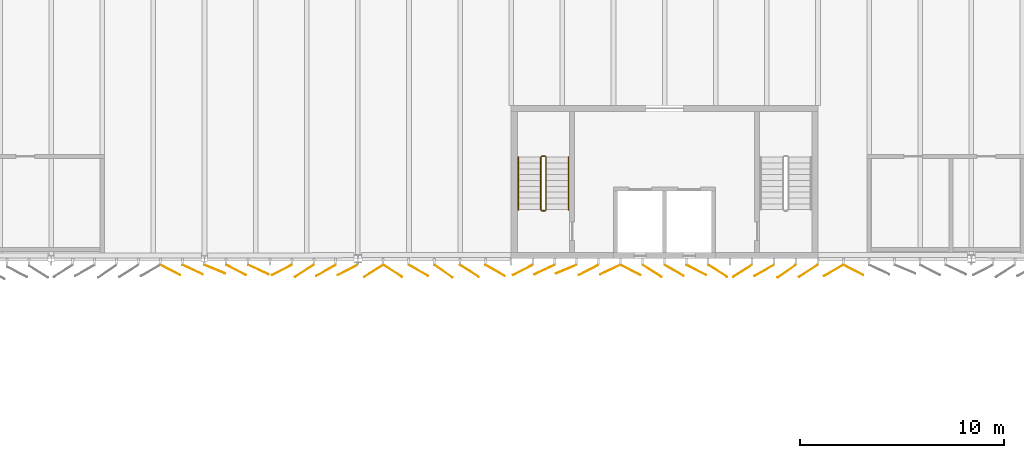
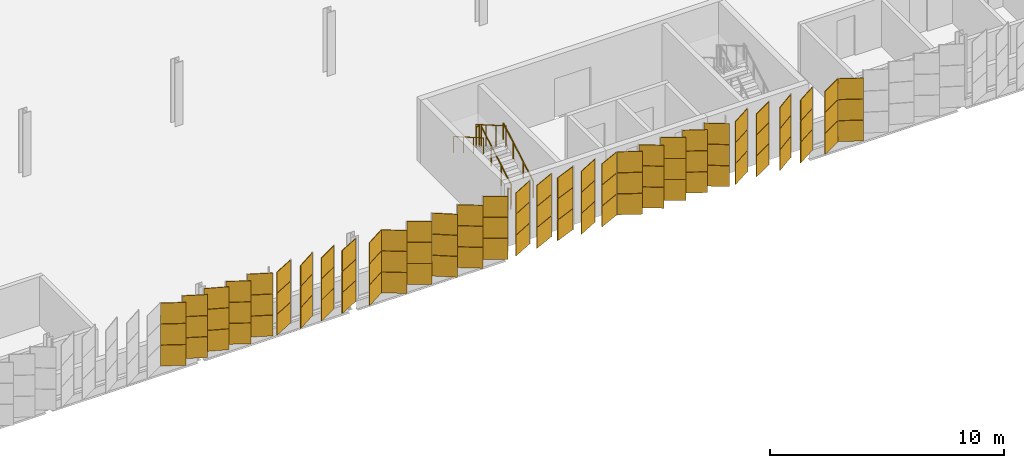
# One storey, part 198 of 214: 93 coverings, 6 railings.
"""IFC4 building model written with IfcOpenShell, lengths in metres."""

from ifc_helpers import new_model, si_unit, direction, frame, origin, origin_2d, place, context, subcontext, project, spatial, rectangle, circle, extrude, material, layer, layer_set, type_object, element, save


model = new_model("IFC4")

# Units and contexts
model_context = context("Model", 3, precision=1e-05, world=origin(), true_north=direction((0.0, 1.0)))
body_context = subcontext(model_context, "Body", "Model", "MODEL_VIEW")
ifc_project = project(units=[si_unit("LENGTHUNIT", "METRE"), si_unit("AREAUNIT", "SQUARE_METRE"), si_unit("VOLUMEUNIT", "CUBIC_METRE"), si_unit("PLANEANGLEUNIT", "RADIAN"), si_unit("MASSUNIT", "GRAM", prefix="KILO")], contexts=[model_context])

# Site, building, storey
site_placement = place(None, origin())
site = spatial("IfcSite", under=ifc_project, at=site_placement, CompositionType="ELEMENT")
building_placement = place(site_placement, origin())
building = spatial("IfcBuilding", under=site, at=building_placement, Name="Parallax Yard Mobility Hub", CompositionType="ELEMENT")
storey_placement = place(building_placement, frame((0.0, 0.0, 3.300048828125)))
storey = spatial("IfcBuildingStorey", under=building, at=storey_placement, Name="L01", CompositionType="ELEMENT", Elevation=3.300048828125)

# Coverings
ifc_material_1 = material(Name="Aluminium panel, light oak finish", Category="aluminium")
ifc_layer_1 = layer(ifc_material_1, 0.030029296875)
ifc_layer_set_1 = layer_set([ifc_layer_1], Name="Skin panel 22.5 degree turn, oak finish")
covering_type_1 = type_object("IfcCoveringType", Name="Skin panel 22.5 degree turn, oak finish", PredefinedType="CLADDING", material=ifc_layer_set_1)
for number, where, z_axis, x_axis, name in (
    (1, (53.000732421875, 111.987060546875, 1.119873046875), (0.0, 0.0, 1.0), (0.923879532511, -0.382683432365, 0.0), "Skin panel 22.5 bay 4.1 row 2 level L01"),
    (2, (53.000732421875, 111.987060546875, 2.219970703125), (0.0, 0.0, 1.0), (0.923879532511, -0.382683432365, 0.0), "Skin panel 22.5 bay 4.1 row 3 level L01"),
    (3, (70.185546875, 111.987060546875, 1.119873046875), (0.0, 0.0, 1.0), (-0.923879532511, -0.382683432365, 0.0), "Skin panel 22.5 bay 6.3 row 2 level L01"),
    (4, (70.185546875, 111.987060546875, 2.219970703125), (0.0, 0.0, 1.0), (-0.923879532511, -0.382683432365, 0.0), "Skin panel 22.5 bay 6.3 row 3 level L01"),
):
    element("IfcCovering", number, at=place(storey_placement, frame(where, z_axis=z_axis, x_axis=x_axis)), inside=storey, type_object=covering_type_1, Name=name, ObjectType="SCREEN", PredefinedType="CLADDING", context=body_context, shape_type="SweptSolid", body=[
        extrude(rectangle(XDim=1.080078125, YDim=0.030029296875, at=origin_2d()), origin(), (0.0, 0.0, 1.0), 1.080078125),
    ])
ifc_material_2 = material(Name="Aluminium panel, walnut finish", Category="aluminium")
ifc_layer_2 = layer(ifc_material_2, 0.030029296875)
ifc_layer_set_2 = layer_set([ifc_layer_2], Name="Skin panel 22.5 degree turn, walnut finish")
covering_type_2 = type_object("IfcCoveringType", Name="Skin panel 22.5 degree turn, walnut finish", PredefinedType="CLADDING", material=ifc_layer_set_2)
for number, where, z_axis, x_axis, name in (
    (5, (53.000732421875, 111.987060546875, 0.02001953125), (0.0, 0.0, 1.0), (0.923879532511, -0.382683432365, 0.0), "Skin panel 22.5 bay 4.1 row 1 level L01"),
    (6, (70.185546875, 111.987060546875, 0.02001953125), (0.0, 0.0, 1.0), (-0.923879532511, -0.382683432365, 0.0), "Skin panel 22.5 bay 6.3 row 1 level L01"),
):
    element("IfcCovering", number, at=place(storey_placement, frame(where, z_axis=z_axis, x_axis=x_axis)), inside=storey, type_object=covering_type_2, Name=name, ObjectType="SCREEN", PredefinedType="CLADDING", context=body_context, shape_type="SweptSolid", body=[
        extrude(rectangle(XDim=1.080078125, YDim=0.030029296875, at=origin_2d()), origin(), (0.0, 0.0, 1.0), 1.080078125),
    ])
ifc_layer_3 = layer(ifc_material_1, 0.030029296875)
ifc_layer_set_3 = layer_set([ifc_layer_3], Name="Skin panel 25 degree turn, oak finish")
covering_type_3 = type_object("IfcCoveringType", Name="Skin panel 25 degree turn, oak finish", PredefinedType="CLADDING", material=ifc_layer_set_3)
for number, where, z_axis, x_axis, name in (
    (7, (51.91943359375, 111.96484375, 1.119873046875), (0.0, 0.0, 1.0), (0.906307787037, -0.422618261741, 0.0), "Skin panel 25 bay 3.7 row 2 level L01"),
    (8, (51.91943359375, 111.96484375, 2.219970703125), (0.0, 0.0, 1.0), (0.906307787037, -0.422618261741, 0.0), "Skin panel 25 bay 3.7 row 3 level L01"),
    (9, (55.134033203125, 111.96484375, 1.119873046875), (0.0, 0.0, 1.0), (0.906307787037, -0.422618261741, 0.0), "Skin panel 25 bay 4.3 row 2 level L01"),
    (10, (55.134033203125, 111.96484375, 2.219970703125), (0.0, 0.0, 1.0), (0.906307787037, -0.422618261741, 0.0), "Skin panel 25 bay 4.3 row 3 level L01"),
    (11, (69.123046875, 111.96484375, 1.119873046875), (0.0, 0.0, 1.0), (-0.906307787037, -0.422618261741, 0.0), "Skin panel 25 bay 6.2 row 2 level L01"),
    (12, (69.123046875, 111.96484375, 2.219970703125), (0.0, 0.0, 1.0), (-0.906307787037, -0.422618261741, 0.0), "Skin panel 25 bay 6.2 row 3 level L01"),
    (13, (72.339599609375, 111.96484375, 1.119873046875), (0.0, 0.0, 1.0), (-0.906307787037, -0.422618261741, 0.0), "Skin panel 25 bay 6.5 row 2 level L01"),
    (14, (72.339599609375, 111.96484375, 2.219970703125), (0.0, 0.0, 1.0), (-0.906307787037, -0.422618261741, 0.0), "Skin panel 25 bay 6.5 row 3 level L01"),
):
    element("IfcCovering", number, at=place(storey_placement, frame(where, z_axis=z_axis, x_axis=x_axis)), inside=storey, type_object=covering_type_3, Name=name, ObjectType="SCREEN", PredefinedType="CLADDING", context=body_context, shape_type="SweptSolid", body=[
        extrude(rectangle(XDim=1.080078125, YDim=0.030029296875, at=origin_2d()), origin(), (0.0, 0.0, 1.0), 1.080078125),
    ])
ifc_layer_4 = layer(ifc_material_2, 0.030029296875)
ifc_layer_set_4 = layer_set([ifc_layer_4], Name="Skin panel 25 degree turn, walnut finish")
covering_type_4 = type_object("IfcCoveringType", Name="Skin panel 25 degree turn, walnut finish", PredefinedType="CLADDING", material=ifc_layer_set_4)
for number, where, z_axis, x_axis, name in (
    (15, (51.91943359375, 111.96484375, 0.02001953125), (0.0, 0.0, 1.0), (0.906307787037, -0.422618261741, 0.0), "Skin panel 25 bay 3.7 row 1 level L01"),
    (16, (55.134033203125, 111.96484375, 0.02001953125), (0.0, 0.0, 1.0), (0.906307787037, -0.422618261741, 0.0), "Skin panel 25 bay 4.3 row 1 level L01"),
    (17, (69.123046875, 111.96484375, 0.02001953125), (0.0, 0.0, 1.0), (-0.906307787037, -0.422618261741, 0.0), "Skin panel 25 bay 6.2 row 1 level L01"),
    (18, (72.339599609375, 111.96484375, 0.02001953125), (0.0, 0.0, 1.0), (-0.906307787037, -0.422618261741, 0.0), "Skin panel 25 bay 6.5 row 1 level L01"),
):
    element("IfcCovering", number, at=place(storey_placement, frame(where, z_axis=z_axis, x_axis=x_axis)), inside=storey, type_object=covering_type_4, Name=name, ObjectType="SCREEN", PredefinedType="CLADDING", context=body_context, shape_type="SweptSolid", body=[
        extrude(rectangle(XDim=1.080078125, YDim=0.030029296875, at=origin_2d()), origin(), (0.0, 0.0, 1.0), 1.080078125),
    ])
ifc_layer_5 = layer(ifc_material_1, 0.030029296875)
ifc_layer_set_5 = layer_set([ifc_layer_5], Name="Skin panel 27.5 degree turn, oak finish")
covering_type_5 = type_object("IfcCoveringType", Name="Skin panel 27.5 degree turn, oak finish", PredefinedType="CLADDING", material=ifc_layer_set_5)
for number, where, z_axis, x_axis, name in (
    (19, (50.83740234375, 111.943115234375, 1.119873046875), (0.0, 0.0, 1.0), (0.887010833178, -0.461748613235, 0.0), "Skin panel 27.5 bay 3.6 row 2 level L01"),
    (20, (50.83740234375, 111.943115234375, 2.219970703125), (0.0, 0.0, 1.0), (0.887010833178, -0.461748613235, 0.0), "Skin panel 27.5 bay 3.6 row 3 level L01"),
    (21, (54.0517578125, 111.943115234375, 1.119873046875), (0.0, 0.0, 1.0), (0.887010833178, -0.461748613235, 0.0), "Skin panel 27.5 bay 4.2 row 2 level L01"),
    (22, (54.0517578125, 111.943115234375, 2.219970703125), (0.0, 0.0, 1.0), (0.887010833178, -0.461748613235, 0.0), "Skin panel 27.5 bay 4.2 row 3 level L01"),
    (23, (56.279296875, 111.943115234375, 1.119873046875), (0.0, 0.0, 1.0), (-0.887010833178, -0.461748613235, 0.0), "Skin panel 27.5 bay 4.4 row 2 level L01"),
    (24, (56.279296875, 111.943115234375, 2.219970703125), (0.0, 0.0, 1.0), (-0.887010833178, -0.461748613235, 0.0), "Skin panel 27.5 bay 4.4 row 3 level L01"),
    (25, (59.493896484375, 111.943115234375, 1.119873046875), (0.0, 0.0, 1.0), (-0.887010833178, -0.461748613235, 0.0), "Skin panel 27.5 bay 4.7 row 2 level L01"),
    (26, (59.493896484375, 111.943115234375, 2.219970703125), (0.0, 0.0, 1.0), (-0.887010833178, -0.461748613235, 0.0), "Skin panel 27.5 bay 4.7 row 3 level L01"),
    (27, (68.0615234375, 111.943115234375, 1.119873046875), (0.0, 0.0, 1.0), (-0.887010833178, -0.461748613235, 0.0), "Skin panel 27.5 bay 6.1 row 2 level L01"),
    (28, (68.0615234375, 111.943115234375, 2.219970703125), (0.0, 0.0, 1.0), (-0.887010833178, -0.461748613235, 0.0), "Skin panel 27.5 bay 6.1 row 3 level L01"),
    (29, (71.2783203125, 111.943115234375, 1.119873046875), (0.0, 0.0, 1.0), (-0.887010833178, -0.461748613235, 0.0), "Skin panel 27.5 bay 6.4 row 2 level L01"),
    (30, (71.2783203125, 111.943115234375, 2.219970703125), (0.0, 0.0, 1.0), (-0.887010833178, -0.461748613235, 0.0), "Skin panel 27.5 bay 6.4 row 3 level L01"),
    (31, (73.33740234375, 111.943115234375, 1.119873046875), (0.0, 0.0, 1.0), (0.887010833178, -0.461748613235, 0.0), "Skin panel 27.5 bay 6.6 row 2 level L01"),
    (32, (73.33740234375, 111.943115234375, 2.219970703125), (0.0, 0.0, 1.0), (0.887010833178, -0.461748613235, 0.0), "Skin panel 27.5 bay 6.6 row 3 level L01"),
    (33, (76.55419921875, 111.943115234375, 1.119873046875), (0.0, 0.0, 1.0), (0.887010833178, -0.461748613235, 0.0), "Skin panel 27.5 bay 6.9 row 2 level L01"),
    (34, (76.55419921875, 111.943115234375, 2.219970703125), (0.0, 0.0, 1.0), (0.887010833178, -0.461748613235, 0.0), "Skin panel 27.5 bay 6.9 row 3 level L01"),
    (35, (84.236572265625, 111.943115234375, 1.119873046875), (0.0, 0.0, 1.0), (0.887010833178, -0.461748613235, 0.0), "Skin panel 27.5 bay 7.2 row 2 level L01"),
    (36, (84.236572265625, 111.943115234375, 2.219970703125), (0.0, 0.0, 1.0), (0.887010833178, -0.461748613235, 0.0), "Skin panel 27.5 bay 7.2 row 3 level L01"),
):
    element("IfcCovering", number, at=place(storey_placement, frame(where, z_axis=z_axis, x_axis=x_axis)), inside=storey, type_object=covering_type_5, Name=name, ObjectType="SCREEN", PredefinedType="CLADDING", context=body_context, shape_type="SweptSolid", body=[
        extrude(rectangle(XDim=1.080078125, YDim=0.030029296875, at=origin_2d()), origin(), (0.0, 0.0, 1.0), 1.080078125),
    ])
ifc_layer_6 = layer(ifc_material_2, 0.030029296875)
ifc_layer_set_6 = layer_set([ifc_layer_6], Name="Skin panel 27.5 degree turn, walnut finish")
covering_type_6 = type_object("IfcCoveringType", Name="Skin panel 27.5 degree turn, walnut finish", PredefinedType="CLADDING", material=ifc_layer_set_6)
for number, where, z_axis, x_axis, name in (
    (37, (50.83740234375, 111.943115234375, 0.02001953125), (0.0, 0.0, 1.0), (0.887010833178, -0.461748613235, 0.0), "Skin panel 27.5 bay 3.6 row 1 level L01"),
    (38, (54.0517578125, 111.943115234375, 0.02001953125), (0.0, 0.0, 1.0), (0.887010833178, -0.461748613235, 0.0), "Skin panel 27.5 bay 4.2 row 1 level L01"),
    (39, (56.279296875, 111.943115234375, 0.02001953125), (0.0, 0.0, 1.0), (-0.887010833178, -0.461748613235, 0.0), "Skin panel 27.5 bay 4.4 row 1 level L01"),
    (40, (59.493896484375, 111.943115234375, 0.02001953125), (0.0, 0.0, 1.0), (-0.887010833178, -0.461748613235, 0.0), "Skin panel 27.5 bay 4.7 row 1 level L01"),
    (41, (68.0615234375, 111.943115234375, 0.02001953125), (0.0, 0.0, 1.0), (-0.887010833178, -0.461748613235, 0.0), "Skin panel 27.5 bay 6.1 row 1 level L01"),
    (42, (71.2783203125, 111.943115234375, 0.02001953125), (0.0, 0.0, 1.0), (-0.887010833178, -0.461748613235, 0.0), "Skin panel 27.5 bay 6.4 row 1 level L01"),
    (43, (73.33740234375, 111.943115234375, 0.02001953125), (0.0, 0.0, 1.0), (0.887010833178, -0.461748613235, 0.0), "Skin panel 27.5 bay 6.6 row 1 level L01"),
    (44, (76.55419921875, 111.943115234375, 0.02001953125), (0.0, 0.0, 1.0), (0.887010833178, -0.461748613235, 0.0), "Skin panel 27.5 bay 6.9 row 1 level L01"),
    (45, (84.236572265625, 111.943115234375, 0.02001953125), (0.0, 0.0, 1.0), (0.887010833178, -0.461748613235, 0.0), "Skin panel 27.5 bay 7.2 row 1 level L01"),
):
    element("IfcCovering", number, at=place(storey_placement, frame(where, z_axis=z_axis, x_axis=x_axis)), inside=storey, type_object=covering_type_6, Name=name, ObjectType="SCREEN", PredefinedType="CLADDING", context=body_context, shape_type="SweptSolid", body=[
        extrude(rectangle(XDim=1.080078125, YDim=0.030029296875, at=origin_2d()), origin(), (0.0, 0.0, 1.0), 1.080078125),
    ])
ifc_layer_7 = layer(ifc_material_1, 0.030029296875)
ifc_layer_set_7 = layer_set([ifc_layer_7], Name="Skin panel 30 degree turn, oak finish")
covering_type_7 = type_object("IfcCoveringType", Name="Skin panel 30 degree turn, oak finish", PredefinedType="CLADDING", material=ifc_layer_set_7)
for number, where, z_axis, x_axis, name in (
    (46, (58.43408203125, 111.921875, 1.119873046875), (0.0, 0.0, 1.0), (-0.866025403784, -0.5, 0.0), "Skin panel 30 bay 4.6 row 2 level L01"),
    (47, (58.43408203125, 111.921875, 2.219970703125), (0.0, 0.0, 1.0), (-0.866025403784, -0.5, 0.0), "Skin panel 30 bay 4.6 row 3 level L01"),
    (48, (62.9677734375, 111.921875, 1.119873046875), (0.0, 0.0, 1.0), (0.866025403784, -0.5, 0.0), "Skin panel 30 bay 5.3 row 2 level L01"),
    (49, (62.9677734375, 111.921875, 2.219970703125), (0.0, 0.0, 1.0), (0.866025403784, -0.5, 0.0), "Skin panel 30 bay 5.3 row 3 level L01"),
    (50, (66.71533203125, 111.921875, 1.119873046875), (0.0, 0.0, 1.0), (0.866025403784, -0.5, 0.0), "Skin panel 30 bay 5.6 row 2 level L01"),
    (51, (66.71533203125, 111.921875, 2.219970703125), (0.0, 0.0, 1.0), (0.866025403784, -0.5, 0.0), "Skin panel 30 bay 5.6 row 3 level L01"),
    (52, (75.47021484375, 111.921875, 1.119873046875), (0.0, 0.0, 1.0), (0.866025403784, -0.5, 0.0), "Skin panel 30 bay 6.8 row 2 level L01"),
    (53, (75.47021484375, 111.921875, 2.219970703125), (0.0, 0.0, 1.0), (0.866025403784, -0.5, 0.0), "Skin panel 30 bay 6.8 row 3 level L01"),
    (54, (79.86767578125, 111.921875, 1.119873046875), (0.0, 0.0, 1.0), (-0.866025403784, -0.5, 0.0), "Skin panel 30 bay 6.12 row 2 level L01"),
    (55, (79.86767578125, 111.921875, 2.219970703125), (0.0, 0.0, 1.0), (-0.866025403784, -0.5, 0.0), "Skin panel 30 bay 6.12 row 3 level L01"),
    (56, (83.26123046875, 111.921875, 1.119873046875), (0.0, 0.0, 1.0), (-0.866025403784, -0.5, 0.0), "Skin panel 30 bay 7.1 row 2 level L01"),
    (57, (83.26123046875, 111.921875, 2.219970703125), (0.0, 0.0, 1.0), (-0.866025403784, -0.5, 0.0), "Skin panel 30 bay 7.1 row 3 level L01"),
):
    element("IfcCovering", number, at=place(storey_placement, frame(where, z_axis=z_axis, x_axis=x_axis)), inside=storey, type_object=covering_type_7, Name=name, ObjectType="SCREEN", PredefinedType="CLADDING", context=body_context, shape_type="SweptSolid", body=[
        extrude(rectangle(XDim=1.080078125, YDim=0.030029296875, at=origin_2d()), origin(), (0.0, 0.0, 1.0), 1.080078125),
    ])
ifc_layer_8 = layer(ifc_material_2, 0.030029296875)
ifc_layer_set_8 = layer_set([ifc_layer_8], Name="Skin panel 30 degree turn, walnut finish")
covering_type_8 = type_object("IfcCoveringType", Name="Skin panel 30 degree turn, walnut finish", PredefinedType="CLADDING", material=ifc_layer_set_8)
for number, where, z_axis, x_axis, name in (
    (58, (58.43408203125, 111.921875, 0.02001953125), (0.0, 0.0, 1.0), (-0.866025403784, -0.5, 0.0), "Skin panel 30 bay 4.6 row 1 level L01"),
    (59, (62.9677734375, 111.921875, 0.02001953125), (0.0, 0.0, 1.0), (0.866025403784, -0.5, 0.0), "Skin panel 30 bay 5.3 row 1 level L01"),
    (60, (66.71533203125, 111.921875, 0.02001953125), (0.0, 0.0, 1.0), (0.866025403784, -0.5, 0.0), "Skin panel 30 bay 5.6 row 1 level L01"),
    (61, (75.47021484375, 111.921875, 0.02001953125), (0.0, 0.0, 1.0), (0.866025403784, -0.5, 0.0), "Skin panel 30 bay 6.8 row 1 level L01"),
    (62, (79.86767578125, 111.921875, 0.02001953125), (0.0, 0.0, 1.0), (-0.866025403784, -0.5, 0.0), "Skin panel 30 bay 6.12 row 1 level L01"),
    (63, (83.26123046875, 111.921875, 0.02001953125), (0.0, 0.0, 1.0), (-0.866025403784, -0.5, 0.0), "Skin panel 30 bay 7.1 row 1 level L01"),
):
    element("IfcCovering", number, at=place(storey_placement, frame(where, z_axis=z_axis, x_axis=x_axis)), inside=storey, type_object=covering_type_8, Name=name, ObjectType="SCREEN", PredefinedType="CLADDING", context=body_context, shape_type="SweptSolid", body=[
        extrude(rectangle(XDim=1.080078125, YDim=0.030029296875, at=origin_2d()), origin(), (0.0, 0.0, 1.0), 1.080078125),
    ])
ifc_layer_9 = layer(ifc_material_1, 0.030029296875)
ifc_layer_set_9 = layer_set([ifc_layer_9], Name="Skin panel 32.5 degree turn, oak finish")
covering_type_9 = type_object("IfcCoveringType", Name="Skin panel 32.5 degree turn, oak finish", PredefinedType="CLADDING", material=ifc_layer_set_9)
for number, where, z_axis, x_axis, name in (
    (64, (57.375, 111.901123046875, 1.119873046875), (0.0, 0.0, 1.0), (-0.843391445813, -0.537299608347, 0.0), "Skin panel 32.5 bay 4.5 row 2 level L01"),
    (65, (57.375, 111.901123046875, 2.219970703125), (0.0, 0.0, 1.0), (-0.843391445813, -0.537299608347, 0.0), "Skin panel 32.5 bay 4.5 row 3 level L01"),
    (66, (60.767333984375, 111.901123046875, 1.119873046875), (0.0, 0.0, 1.0), (-0.843391445813, -0.537299608347, 0.0), "Skin panel 32.5 bay 5.1 row 2 level L01"),
    (67, (60.767333984375, 111.901123046875, 2.219970703125), (0.0, 0.0, 1.0), (-0.843391445813, -0.537299608347, 0.0), "Skin panel 32.5 bay 5.1 row 3 level L01"),
    (68, (61.705810546875, 111.901123046875, 1.119873046875), (0.0, 0.0, 1.0), (0.843391445813, -0.537299608347, 0.0), "Skin panel 32.5 bay 5.2 row 2 level L01"),
    (69, (61.705810546875, 111.901123046875, 2.219970703125), (0.0, 0.0, 1.0), (0.843391445813, -0.537299608347, 0.0), "Skin panel 32.5 bay 5.2 row 3 level L01"),
    (70, (65.45361328125, 111.901123046875, 1.119873046875), (0.0, 0.0, 1.0), (0.843391445813, -0.537299608347, 0.0), "Skin panel 32.5 bay 5.5 row 2 level L01"),
    (71, (65.45361328125, 111.901123046875, 2.219970703125), (0.0, 0.0, 1.0), (0.843391445813, -0.537299608347, 0.0), "Skin panel 32.5 bay 5.5 row 3 level L01"),
    (72, (74.385498046875, 111.901123046875, 1.119873046875), (0.0, 0.0, 1.0), (0.843391445813, -0.537299608347, 0.0), "Skin panel 32.5 bay 6.7 row 2 level L01"),
    (73, (74.385498046875, 111.901123046875, 2.219970703125), (0.0, 0.0, 1.0), (0.843391445813, -0.537299608347, 0.0), "Skin panel 32.5 bay 6.7 row 3 level L01"),
    (74, (77.60205078125, 111.901123046875, 1.119873046875), (0.0, 0.0, 1.0), (0.843391445813, -0.537299608347, 0.0), "Skin panel 32.5 bay 6.10 row 2 level L01"),
    (75, (77.60205078125, 111.901123046875, 2.219970703125), (0.0, 0.0, 1.0), (0.843391445813, -0.537299608347, 0.0), "Skin panel 32.5 bay 6.10 row 3 level L01"),
    (76, (78.80810546875, 111.901123046875, 1.119873046875), (0.0, 0.0, 1.0), (-0.843391445813, -0.537299608347, 0.0), "Skin panel 32.5 bay 6.11 row 2 level L01"),
    (77, (78.80810546875, 111.901123046875, 2.219970703125), (0.0, 0.0, 1.0), (-0.843391445813, -0.537299608347, 0.0), "Skin panel 32.5 bay 6.11 row 3 level L01"),
    (78, (82.024658203125, 111.901123046875, 1.119873046875), (0.0, 0.0, 1.0), (-0.843391445813, -0.537299608347, 0.0), "Skin panel 32.5 bay 6.14 row 2 level L01"),
    (79, (82.024658203125, 111.901123046875, 2.219970703125), (0.0, 0.0, 1.0), (-0.843391445813, -0.537299608347, 0.0), "Skin panel 32.5 bay 6.14 row 3 level L01"),
):
    element("IfcCovering", number, at=place(storey_placement, frame(where, z_axis=z_axis, x_axis=x_axis)), inside=storey, type_object=covering_type_9, Name=name, ObjectType="SCREEN", PredefinedType="CLADDING", context=body_context, shape_type="SweptSolid", body=[
        extrude(rectangle(XDim=1.080078125, YDim=0.030029296875, at=origin_2d()), origin(), (0.0, 0.0, 1.0), 1.080078125),
    ])
ifc_layer_10 = layer(ifc_material_2, 0.030029296875)
ifc_layer_set_10 = layer_set([ifc_layer_10], Name="Skin panel 32.5 degree turn, walnut finish")
covering_type_10 = type_object("IfcCoveringType", Name="Skin panel 32.5 degree turn, walnut finish", PredefinedType="CLADDING", material=ifc_layer_set_10)
for number, where, z_axis, x_axis, name in (
    (80, (57.375, 111.901123046875, 0.02001953125), (0.0, 0.0, 1.0), (-0.843391445813, -0.537299608347, 0.0), "Skin panel 32.5 bay 4.5 row 1 level L01"),
    (81, (60.767333984375, 111.901123046875, 0.02001953125), (0.0, 0.0, 1.0), (-0.843391445813, -0.537299608347, 0.0), "Skin panel 32.5 bay 5.1 row 1 level L01"),
    (82, (61.705810546875, 111.901123046875, 0.02001953125), (0.0, 0.0, 1.0), (0.843391445813, -0.537299608347, 0.0), "Skin panel 32.5 bay 5.2 row 1 level L01"),
    (83, (65.45361328125, 111.901123046875, 0.02001953125), (0.0, 0.0, 1.0), (0.843391445813, -0.537299608347, 0.0), "Skin panel 32.5 bay 5.5 row 1 level L01"),
    (84, (74.385498046875, 111.901123046875, 0.02001953125), (0.0, 0.0, 1.0), (0.843391445813, -0.537299608347, 0.0), "Skin panel 32.5 bay 6.7 row 1 level L01"),
    (85, (77.60205078125, 111.901123046875, 0.02001953125), (0.0, 0.0, 1.0), (0.843391445813, -0.537299608347, 0.0), "Skin panel 32.5 bay 6.10 row 1 level L01"),
    (86, (78.80810546875, 111.901123046875, 0.02001953125), (0.0, 0.0, 1.0), (-0.843391445813, -0.537299608347, 0.0), "Skin panel 32.5 bay 6.11 row 1 level L01"),
    (87, (82.024658203125, 111.901123046875, 0.02001953125), (0.0, 0.0, 1.0), (-0.843391445813, -0.537299608347, 0.0), "Skin panel 32.5 bay 6.14 row 1 level L01"),
):
    element("IfcCovering", number, at=place(storey_placement, frame(where, z_axis=z_axis, x_axis=x_axis)), inside=storey, type_object=covering_type_10, Name=name, ObjectType="SCREEN", PredefinedType="CLADDING", context=body_context, shape_type="SweptSolid", body=[
        extrude(rectangle(XDim=1.080078125, YDim=0.030029296875, at=origin_2d()), origin(), (0.0, 0.0, 1.0), 1.080078125),
    ])
ifc_layer_11 = layer(ifc_material_1, 0.030029296875)
ifc_layer_set_11 = layer_set([ifc_layer_11], Name="Skin panel 35 degree turn, oak finish")
covering_type_11 = type_object("IfcCoveringType", Name="Skin panel 35 degree turn, oak finish", PredefinedType="CLADDING", material=ifc_layer_set_11)
for number, where, z_axis, x_axis, name in (
    (88, (64.19091796875, 111.880859375, 1.119873046875), (0.0, 0.0, 1.0), (0.819152044289, -0.573576436351, 0.0), "Skin panel 35 bay 5.4 row 2 level L01"),
    (89, (64.19091796875, 111.880859375, 2.219970703125), (0.0, 0.0, 1.0), (0.819152044289, -0.573576436351, 0.0), "Skin panel 35 bay 5.4 row 3 level L01"),
    (90, (80.9658203125, 111.880859375, 1.119873046875), (0.0, 0.0, 1.0), (-0.819152044289, -0.573576436351, 0.0), "Skin panel 35 bay 6.13 row 2 level L01"),
    (91, (80.9658203125, 111.880859375, 2.219970703125), (0.0, 0.0, 1.0), (-0.819152044289, -0.573576436351, 0.0), "Skin panel 35 bay 6.13 row 3 level L01"),
):
    element("IfcCovering", number, at=place(storey_placement, frame(where, z_axis=z_axis, x_axis=x_axis)), inside=storey, type_object=covering_type_11, Name=name, ObjectType="SCREEN", PredefinedType="CLADDING", context=body_context, shape_type="SweptSolid", body=[
        extrude(rectangle(XDim=1.080078125, YDim=0.030029296875, at=origin_2d()), origin(), (0.0, 0.0, 1.0), 1.080078125),
    ])
ifc_layer_12 = layer(ifc_material_2, 0.030029296875)
ifc_layer_set_12 = layer_set([ifc_layer_12], Name="Skin panel 35 degree turn, walnut finish")
covering_type_12 = type_object("IfcCoveringType", Name="Skin panel 35 degree turn, walnut finish", PredefinedType="CLADDING", material=ifc_layer_set_12)
for number, where, z_axis, x_axis, name in (
    (92, (64.19091796875, 111.880859375, 0.02001953125), (0.0, 0.0, 1.0), (0.819152044289, -0.573576436351, 0.0), "Skin panel 35 bay 5.4 row 1 level L01"),
    (93, (80.9658203125, 111.880859375, 0.02001953125), (0.0, 0.0, 1.0), (-0.819152044289, -0.573576436351, 0.0), "Skin panel 35 bay 6.13 row 1 level L01"),
):
    element("IfcCovering", number, at=place(storey_placement, frame(where, z_axis=z_axis, x_axis=x_axis)), inside=storey, type_object=covering_type_12, Name=name, ObjectType="SCREEN", PredefinedType="CLADDING", context=body_context, shape_type="SweptSolid", body=[
        extrude(rectangle(XDim=1.080078125, YDim=0.030029296875, at=origin_2d()), origin(), (0.0, 0.0, 1.0), 1.080078125),
    ])

# Railings
ifc_material_3 = material(Name="Steel ASTM A36", Category="steel")
railing_type_1 = type_object("IfcRailingType", Name="Stair guard 1100", PredefinedType="GUARDRAIL", material=ifc_material_3)
railing_1_placement = place(storey_placement, frame((69.199951171875, 114.89990234375, 0.1650390625)))
element("IfcRailing", 94, at=railing_1_placement, inside=storey, type_object=railing_type_1, Name="L01 ST4 stair guard 1", PredefinedType="GUARDRAIL", context=body_context, shape_type="SweptSolid", body=[
    extrude(circle(Radius=0.02392578125, at=origin_2d()), frame((0.0, 0.0, 1.076171875), z_axis=(0.0, 0.865461999751, 0.500974577186), x_axis=(-1.0, 0.0, 0.0)), (0.0, 0.0, 1.0), 2.9638671875),
    extrude(circle(Radius=0.02099609375, at=origin_2d()), origin(), (0.0, 0.0, 1.0), 1.052001953125),
    extrude(circle(Radius=0.02099609375, at=origin_2d()), frame((0.0, 0.85498046875, 0.494873046875)), (0.0, 0.0, 1.0), 1.052001953125),
    extrude(circle(Radius=0.02099609375, at=origin_2d()), frame((0.0, 1.710205078125, 0.989990234375)), (0.0, 0.0, 1.0), 1.052001953125),
    extrude(circle(Radius=0.02099609375, at=origin_2d()), frame((0.0, 2.565185546875, 1.48486328125)), (0.0, 0.0, 1.0), 1.052001953125),
])
railing_2_placement = place(storey_placement, frame((69.14990234375, 117.514892578125, 1.64990234375)))
element("IfcRailing", 95, at=railing_2_placement, inside=storey, type_object=railing_type_1, Name="L01 ST4 stair guard 2", PredefinedType="GUARDRAIL", context=body_context, shape_type="SweptSolid", body=[
    extrude(circle(Radius=0.02392578125, at=origin_2d()), frame((0.0, 0.0, 1.076171875), z_axis=(-1.0, 0.0, 0.0), x_axis=(0.0, -1.0, 0.0)), (0.0, 0.0, 1.0), 0.14990234375),
    extrude(circle(Radius=0.02099609375, at=origin_2d()), origin(), (0.0, 0.0, 1.0), 1.052001953125),
    extrude(circle(Radius=0.02099609375, at=origin_2d()), frame((-0.14990234375, 0.0, 0.0)), (0.0, 0.0, 1.0), 1.052001953125),
])
railing_3_placement = place(storey_placement, frame((68.949951171875, 117.465087890625, 1.81494140625)))
element("IfcRailing", 96, at=railing_3_placement, inside=storey, type_object=railing_type_1, Name="L01 ST4 stair guard 3", PredefinedType="GUARDRAIL", context=body_context, shape_type="SweptSolid", body=[
    extrude(circle(Radius=0.02392578125, at=origin_2d()), frame((0.0, 0.0, 1.076171875), z_axis=(0.0, -0.865426285481, 0.501036270542), x_axis=(1.0, 0.0, 0.0)), (0.0, 0.0, 1.0), 2.964111328125),
    extrude(circle(Radius=0.02099609375, at=origin_2d()), origin(), (0.0, 0.0, 1.0), 1.052001953125),
    extrude(circle(Radius=0.02099609375, at=origin_2d()), frame((0.0, -0.85498046875, 0.4951171875)), (0.0, 0.0, 1.0), 1.052001953125),
    extrude(circle(Radius=0.02099609375, at=origin_2d()), frame((0.0, -1.710205078125, 0.989990234375)), (0.0, 0.0, 1.0), 1.052001953125),
    extrude(circle(Radius=0.02099609375, at=origin_2d()), frame((0.0, -2.565185546875, 1.485107421875)), (0.0, 0.0, 1.0), 1.052001953125),
])
railing_4_placement = place(storey_placement, frame((69.14990234375, 114.85009765625, 0.0)))
element("IfcRailing", 97, at=railing_4_placement, inside=storey, type_object=railing_type_1, Name="L01 ST4 stair guard 4", PredefinedType="GUARDRAIL", context=body_context, shape_type="SweptSolid", body=[
    extrude(circle(Radius=0.02392578125, at=origin_2d()), frame((0.0, 0.0, 1.076171875), z_axis=(-1.0, 0.0, 0.0), x_axis=(0.0, -1.0, 0.0)), (0.0, 0.0, 1.0), 0.14990234375),
    extrude(circle(Radius=0.02099609375, at=origin_2d()), origin(), (0.0, 0.0, 1.0), 1.052001953125),
    extrude(circle(Radius=0.02099609375, at=origin_2d()), frame((-0.14990234375, 0.0, 0.0)), (0.0, 0.0, 1.0), 1.052001953125),
])
railing_type_2 = type_object("IfcRailingType", Name="Stair handrail", PredefinedType="HANDRAIL", material=ifc_material_3)
railing_5_placement = place(storey_placement, frame((70.300048828125, 114.89990234375, 0.1650390625)))
element("IfcRailing", 98, at=railing_5_placement, inside=storey, type_object=railing_type_2, Name="L01 ST4 stair handrail 1", PredefinedType="HANDRAIL", context=body_context, shape_type="SweptSolid", body=[
    extrude(circle(Radius=0.02392578125, at=origin_2d()), frame((0.0, 0.0, 0.8310546875), z_axis=(0.0, 0.865461999751, 0.500974577186), x_axis=(-1.0, 0.0, 0.0)), (0.0, 0.0, 1.0), 2.9638671875),
    extrude(circle(Radius=0.02099609375, at=origin_2d()), origin(), (0.0, 0.0, 1.0), 0.806884765625),
    extrude(circle(Radius=0.02099609375, at=origin_2d()), frame((0.0, 0.85498046875, 0.494873046875)), (0.0, 0.0, 1.0), 0.806884765625),
    extrude(circle(Radius=0.02099609375, at=origin_2d()), frame((0.0, 1.710205078125, 0.989990234375)), (0.0, 0.0, 1.0), 0.806884765625),
    extrude(circle(Radius=0.02099609375, at=origin_2d()), frame((0.0, 2.565185546875, 1.48486328125)), (0.0, 0.0, 1.0), 0.806884765625),
])
railing_6_placement = place(storey_placement, frame((67.85009765625, 117.465087890625, 1.81494140625)))
element("IfcRailing", 99, at=railing_6_placement, inside=storey, type_object=railing_type_2, Name="L01 ST4 stair handrail 2", PredefinedType="HANDRAIL", context=body_context, shape_type="SweptSolid", body=[
    extrude(circle(Radius=0.02392578125, at=origin_2d()), frame((0.0, 0.0, 0.8310546875), z_axis=(0.0, -0.865426285481, 0.501036270542), x_axis=(1.0, 0.0, 0.0)), (0.0, 0.0, 1.0), 2.964111328125),
    extrude(circle(Radius=0.02099609375, at=origin_2d()), origin(), (0.0, 0.0, 1.0), 0.806884765625),
    extrude(circle(Radius=0.02099609375, at=origin_2d()), frame((0.0, -0.85498046875, 0.4951171875)), (0.0, 0.0, 1.0), 0.806884765625),
    extrude(circle(Radius=0.02099609375, at=origin_2d()), frame((0.0, -1.710205078125, 0.989990234375)), (0.0, 0.0, 1.0), 0.806884765625),
    extrude(circle(Radius=0.02099609375, at=origin_2d()), frame((0.0, -2.565185546875, 1.485107421875)), (0.0, 0.0, 1.0), 0.806884765625),
])

save(model, "model.ifc")
